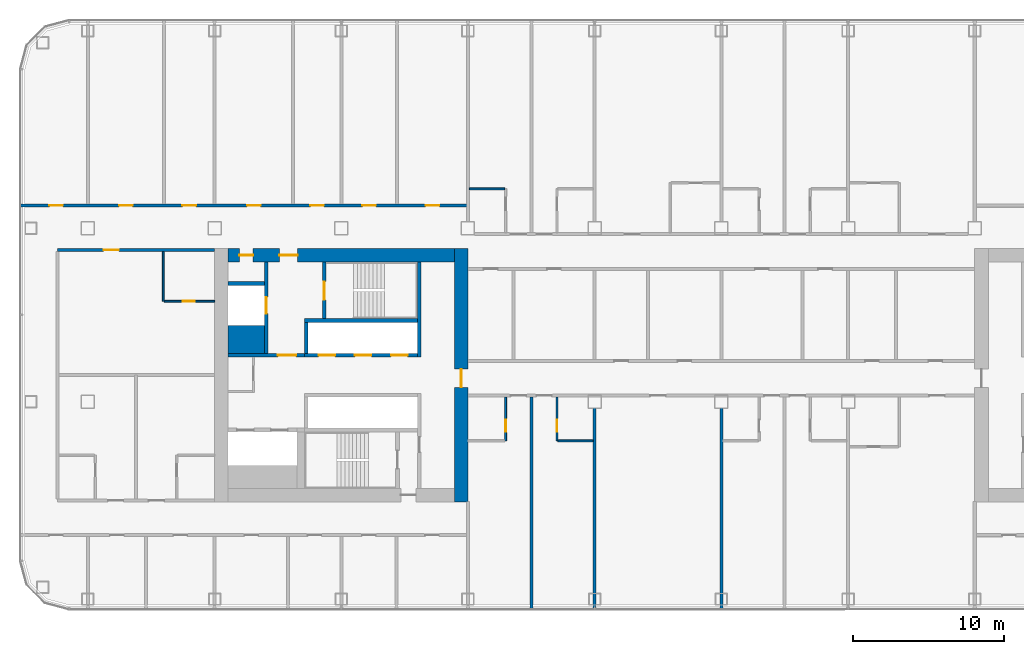
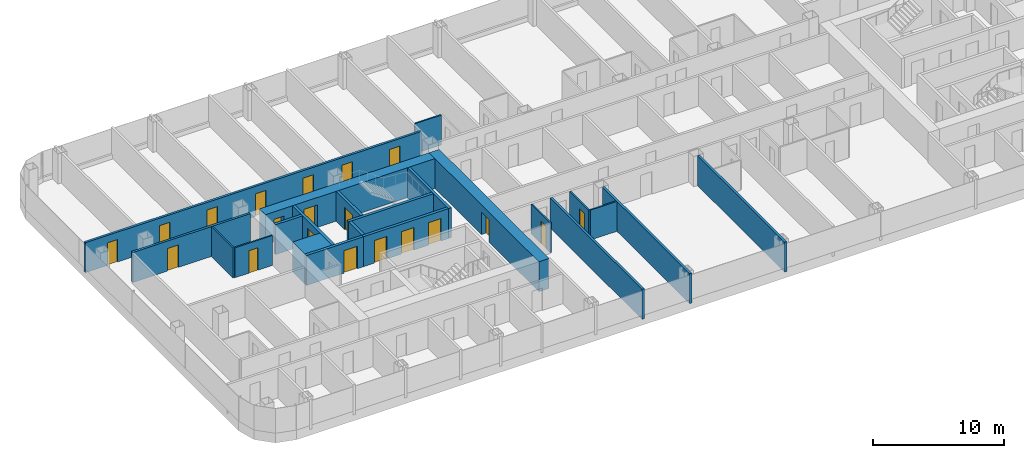
# One storey, part 16 of 29: 22 walls, 20 doors, 20 openings.
"""IFC4 building model written with IfcOpenShell, lengths in metres."""

from ifc_helpers import new_model, si_unit, direction, frame, frame_2d, origin, place, context, subcontext, project, spatial, rectangle, extrude, material, layer, layer_set, type_object, element, fill, save


model = new_model("IFC4")

# Units and contexts
model_context = context("Model", 3, precision=1e-05, world=origin(), true_north=direction((0.0, 1.0)))
body_context = subcontext(model_context, "Body", "Model", "MODEL_VIEW")
ifc_project = project(units=[si_unit("LENGTHUNIT", "METRE"), si_unit("AREAUNIT", "SQUARE_METRE"), si_unit("VOLUMEUNIT", "CUBIC_METRE"), si_unit("PLANEANGLEUNIT", "RADIAN"), si_unit("MASSUNIT", "GRAM", prefix="KILO")], contexts=[model_context])

# Site, building, storey
site_placement = place(None, origin())
site = spatial("IfcSite", under=ifc_project, at=site_placement, CompositionType="ELEMENT")
building_placement = place(site_placement, origin())
building = spatial("IfcBuilding", under=site, at=building_placement, Name="Hakoniwa Tower and Hamabe Station Hall", CompositionType="ELEMENT")
storey_placement = place(building_placement, frame((0.0, 0.0, 85.0)))
storey = spatial("IfcBuildingStorey", under=building, at=storey_placement, Name="L23", CompositionType="ELEMENT", Elevation=85.0)

# Wall
ifc_material_1 = material(Name="Gypsum board partition", Category="gypsum")
ifc_layer_1 = layer(ifc_material_1, 0.125)
ifc_layer_set_1 = layer_set([ifc_layer_1], Name="Bathroom Partition 125")
wall_type_1 = type_object("IfcWallType", Name="Bathroom Partition 125", PredefinedType="PARTITIONING", material=ifc_layer_set_1)
wall_1_placement = place(storey_placement, frame((-10.83740234375, -4.35009765625, 0.0), z_axis=(0.0, 0.0, 1.0), x_axis=(1.0, 0.0, 0.0)))
element("IfcWall", 1, at=wall_1_placement, inside=storey, type_object=wall_type_1, Name="GW-L23-011", PredefinedType="PARTITIONING", context=body_context, shape_type="SweptSolid", body=[
    extrude(rectangle(XDim=2.33740234375, YDim=0.125, at=frame_2d((1.168701171875, 0.0))), origin(), (0.0, 0.0, 1.0), 2.800048828125),
])

# Wall, opening, door
wall_2_placement = place(storey_placement, frame((-36.9375, 4.89990234375, 0.0), z_axis=(0.0, 0.0, 1.0), x_axis=(1.0, 0.0, 0.0)))
wall_2 = element("IfcWall", 2, at=wall_2_placement, inside=storey, type_object=wall_type_1, Name="GW-L23-018", PredefinedType="PARTITIONING", context=body_context, shape_type="SweptSolid", body=[
    extrude(rectangle(XDim=3.33740234375, YDim=0.125, at=frame_2d((1.668701171875, 0.0))), origin(), (0.0, 0.0, 1.0), 2.800048828125),
])
opening_1_placement = place(wall_2_placement, frame((1.237548828125, 0.0, 0.0)))
opening_1 = element("IfcOpeningElement", 3, at=opening_1_placement, cuts=wall_2, Name="Opening GD-G2D0-30", PredefinedType="OPENING", context=body_context, shape_type="SweptSolid", body=[
    extrude(rectangle(XDim=0.800048828125, YDim=2.10009765625, at=frame_2d((0.39990234375, 1.050048828125))), frame((0.0, 0.072509765625, 0.0), z_axis=(0.0, -1.0, 0.0), x_axis=(1.0, 0.0, 0.0)), (0.0, 0.0, 1.0), 0.14501953125),
])
ifc_material_2 = material(Name="Timber door leaf", Category="wood")
door_type_1 = type_object("IfcDoorType", Name="Bathroom Door 800", OperationType="SINGLE_SWING_LEFT", PredefinedType="DOOR", material=ifc_material_2)
door_1_placement = place(opening_1_placement, origin())
door_1 = element("IfcDoor", 4, at=door_1_placement, inside=storey, type_object=door_type_1, Name="Door GD-G2D0-30", OperationType="SINGLE_SWING_RIGHT", OverallHeight=2.10009765625, OverallWidth=0.800048828125, PredefinedType="DOOR", context=body_context, shape_type="SweptSolid", body=[
    extrude(rectangle(XDim=0.800048828125, YDim=2.10009765625, at=frame_2d((0.39990234375, 1.050048828125))), frame((0.0, 0.02490234375, 0.0), z_axis=(0.0, -1.0, 0.0), x_axis=(1.0, 0.0, 0.0)), (0.0, 0.0, 1.0), 0.050048828125),
])
fill(opening_1, door_1)

# Walls
wall_3_placement = place(storey_placement, frame((-16.699951171875, 12.35009765625, 0.0), z_axis=(0.0, 0.0, 1.0), x_axis=(1.0, 0.0, 0.0)))
element("IfcWall", 5, at=wall_3_placement, inside=storey, type_object=wall_type_1, Name="GW-L23-026", PredefinedType="PARTITIONING", context=body_context, shape_type="SweptSolid", body=[
    extrude(rectangle(XDim=2.33740234375, YDim=0.125, at=frame_2d((1.168701171875, 0.0))), origin(), (0.0, 0.0, 1.0), 2.800048828125),
])
wall_4_placement = place(storey_placement, frame((-37.0, 4.89990234375, 0.0), z_axis=(0.0, 0.0, 1.0), x_axis=(0.0, 1.0, 0.0)))
element("IfcWall", 6, at=wall_4_placement, inside=storey, type_object=wall_type_1, Name="GW-L23-038", PredefinedType="PARTITIONING", context=body_context, shape_type="SweptSolid", body=[
    extrude(rectangle(XDim=3.300048828125, YDim=0.125, at=frame_2d((1.64990234375, 0.0))), origin(), (0.0, 0.0, 1.0), 2.800048828125),
])

# Wall, opening, door
wall_5_placement = place(storey_placement, frame((-14.300048828125, -4.35009765625, 0.0), z_axis=(0.0, 0.0, 1.0), x_axis=(0.0, 1.0, 0.0)))
wall_5 = element("IfcWall", 7, at=wall_5_placement, inside=storey, type_object=wall_type_1, Name="GW-L23-051", PredefinedType="PARTITIONING", context=body_context, shape_type="SweptSolid", body=[
    extrude(rectangle(XDim=2.900146484375, YDim=0.125, at=frame_2d((1.4501953125, 0.0))), origin(), (0.0, 0.0, 1.0), 2.800048828125),
])
opening_2_placement = place(wall_5_placement, frame((0.60009765625, 0.0, 0.0)))
opening_2 = element("IfcOpeningElement", 8, at=opening_2_placement, cuts=wall_5, Name="Opening GD-G2D0-59", PredefinedType="OPENING", context=body_context, shape_type="SweptSolid", body=[
    extrude(rectangle(XDim=0.800048828125, YDim=2.10009765625, at=frame_2d((0.39990234375, 1.050048828125))), frame((0.0, 0.072509765625, 0.0), z_axis=(0.0, -1.0, 0.0), x_axis=(1.0, 0.0, 0.0)), (0.0, 0.0, 1.0), 0.14501953125),
])
door_2_placement = place(opening_2_placement, origin())
door_2 = element("IfcDoor", 9, at=door_2_placement, inside=storey, type_object=door_type_1, Name="Door GD-G2D0-59", OperationType="SINGLE_SWING_RIGHT", OverallHeight=2.10009765625, OverallWidth=0.800048828125, PredefinedType="DOOR", context=body_context, shape_type="SweptSolid", body=[
    extrude(rectangle(XDim=0.800048828125, YDim=2.10009765625, at=frame_2d((0.39990234375, 1.050048828125))), frame((0.0, 0.02490234375, 0.0), z_axis=(0.0, -1.0, 0.0), x_axis=(1.0, 0.0, 0.0)), (0.0, 0.0, 1.0), 0.050048828125),
])
fill(opening_2, door_2)

wall_6_placement = place(storey_placement, frame((-10.89990234375, -4.35009765625, 0.0), z_axis=(0.0, 0.0, 1.0), x_axis=(0.0, 1.0, 0.0)))
wall_6 = element("IfcWall", 10, at=wall_6_placement, inside=storey, type_object=wall_type_1, Name="GW-L23-056", PredefinedType="PARTITIONING", context=body_context, shape_type="SweptSolid", body=[
    extrude(rectangle(XDim=2.900146484375, YDim=0.125, at=frame_2d((1.4501953125, 0.0))), origin(), (0.0, 0.0, 1.0), 2.800048828125),
])
opening_3_placement = place(wall_6_placement, frame((0.60009765625, 0.0, 0.0)))
opening_3 = element("IfcOpeningElement", 11, at=opening_3_placement, cuts=wall_6, Name="Opening GD-G2D0-61", PredefinedType="OPENING", context=body_context, shape_type="SweptSolid", body=[
    extrude(rectangle(XDim=0.800048828125, YDim=2.10009765625, at=frame_2d((0.39990234375, 1.050048828125))), frame((0.0, 0.072509765625, 0.0), z_axis=(0.0, -1.0, 0.0), x_axis=(1.0, 0.0, 0.0)), (0.0, 0.0, 1.0), 0.14501953125),
])
door_3_placement = place(opening_3_placement, origin())
door_3 = element("IfcDoor", 12, at=door_3_placement, inside=storey, type_object=door_type_1, Name="Door GD-G2D0-61", OperationType="SINGLE_SWING_LEFT", OverallHeight=2.10009765625, OverallWidth=0.800048828125, PredefinedType="DOOR", context=body_context, shape_type="SweptSolid", body=[
    extrude(rectangle(XDim=0.800048828125, YDim=2.10009765625, at=frame_2d((0.39990234375, 1.050048828125))), frame((0.0, 0.02490234375, 0.0), z_axis=(0.0, -1.0, 0.0), x_axis=(1.0, 0.0, 0.0)), (0.0, 0.0, 1.0), 0.050048828125),
])
fill(opening_3, door_3)

ifc_material_3 = material(Name="Concrete C72", Category="concrete")
ifc_layer_2 = layer(ifc_material_3, 0.89990234375)
ifc_layer_set_2 = layer_set([ifc_layer_2], Name="CORE WALL 900 C72")
wall_type_2 = type_object("IfcWallType", Name="CORE WALL 900 C72", PredefinedType="SHEAR", material=ifc_layer_set_2)
wall_7_placement = place(storey_placement, frame((-17.25, -8.39990234375, 0.0), z_axis=(0.0, 0.0, 1.0), x_axis=(0.0, 1.0, 0.0)))
wall_7 = element("IfcWall", 13, at=wall_7_placement, inside=storey, type_object=wall_type_2, Name="Core wall INNER west", PredefinedType="SHEAR", context=body_context, shape_type="SweptSolid", body=[
    extrude(rectangle(XDim=16.7998046875, YDim=0.89990234375, at=frame_2d((8.39990234375, 0.0))), origin(), (0.0, 0.0, 1.0), 2.800048828125),
])
opening_4_placement = place(wall_7_placement, frame((7.60009765625, 0.0, 0.0)))
opening_4 = element("IfcOpeningElement", 14, at=opening_4_placement, cuts=wall_7, Name="Opening CD-W-IN1-12", PredefinedType="OPENING", context=body_context, shape_type="SweptSolid", body=[
    extrude(rectangle(XDim=1.199951171875, YDim=2.10009765625, at=frame_2d((0.60009765625, 1.050048828125))), frame((0.0, 0.4599609375, 0.0), z_axis=(0.0, -1.0, 0.0), x_axis=(1.0, 0.0, 0.0)), (0.0, 0.0, 1.0), 0.919921875),
])
ifc_material_4 = material(Name="Steel fire door", Category="steel")
door_type_2 = type_object("IfcDoorType", Name="CORE DOOR 1200 FD60", OperationType="DOUBLE_DOOR_SINGLE_SWING", PredefinedType="DOOR", material=ifc_material_4)
door_4_placement = place(opening_4_placement, origin())
door_4 = element("IfcDoor", 15, at=door_4_placement, inside=storey, type_object=door_type_2, Name="Lift lobby door", OperationType="DOUBLE_DOOR_SINGLE_SWING", OverallHeight=2.10009765625, OverallWidth=1.199951171875, PredefinedType="DOOR", context=body_context, shape_type="SweptSolid", body=[
    extrude(rectangle(XDim=1.199951171875, YDim=2.10009765625, at=frame_2d((0.60009765625, 1.050048828125))), frame((0.0, 0.02490234375, 0.0), z_axis=(0.0, -1.0, 0.0), x_axis=(1.0, 0.0, 0.0)), (0.0, 0.0, 1.0), 0.050048828125),
])
fill(opening_4, door_4)

# Wall, openings, doors
wall_8_placement = place(storey_placement, frame((-32.699951171875, 7.949951171875, 0.0), z_axis=(0.0, 0.0, 1.0), x_axis=(1.0, 0.0, 0.0)))
wall_8 = element("IfcWall", 16, at=wall_8_placement, inside=storey, type_object=wall_type_2, Name="Core wall NORTH west", PredefinedType="SHEAR", context=body_context, shape_type="SweptSolid", body=[
    extrude(rectangle(XDim=15.0, YDim=0.89990234375, at=frame_2d((7.5, 0.0))), origin(), (0.0, 0.0, 1.0), 2.800048828125),
])
opening_5_placement = place(wall_8_placement, frame((3.39990234375, 0.0, 0.0)))
opening_5 = element("IfcOpeningElement", 17, at=opening_5_placement, cuts=wall_8, Name="Opening CD-W-FN1-12", PredefinedType="OPENING", context=body_context, shape_type="SweptSolid", body=[
    extrude(rectangle(XDim=1.199951171875, YDim=2.10009765625, at=frame_2d((0.60009765625, 1.050048828125))), frame((0.0, 0.4599609375, 0.0), z_axis=(0.0, -1.0, 0.0), x_axis=(1.0, 0.0, 0.0)), (0.0, 0.0, 1.0), 0.919921875),
])
opening_6_placement = place(wall_8_placement, frame((0.75, 0.0, 0.0)))
opening_6 = element("IfcOpeningElement", 18, at=opening_6_placement, cuts=wall_8, Name="Opening CD-W-FN2-9", PredefinedType="OPENING", context=body_context, shape_type="SweptSolid", body=[
    extrude(rectangle(XDim=0.89990234375, YDim=2.10009765625, at=frame_2d((0.449951171875, 1.050048828125))), frame((0.0, 0.4599609375, 0.0), z_axis=(0.0, -1.0, 0.0), x_axis=(1.0, 0.0, 0.0)), (0.0, 0.0, 1.0), 0.919921875),
])
door_5_placement = place(opening_5_placement, origin())
door_5 = element("IfcDoor", 19, at=door_5_placement, inside=storey, type_object=door_type_2, Name="Stair vestibule door to the fire-fighting lobby", OperationType="DOUBLE_DOOR_SINGLE_SWING", OverallHeight=2.10009765625, OverallWidth=1.199951171875, PredefinedType="DOOR", context=body_context, shape_type="SweptSolid", body=[
    extrude(rectangle(XDim=1.199951171875, YDim=2.10009765625, at=frame_2d((0.60009765625, 1.050048828125))), frame((0.0, 0.02490234375, 0.0), z_axis=(0.0, -1.0, 0.0), x_axis=(1.0, 0.0, 0.0)), (0.0, 0.0, 1.0), 0.050048828125),
])
fill(opening_5, door_5)
ifc_material_5 = material(Name="Steel fire door", Category="steel")
door_type_3 = type_object("IfcDoorType", Name="CORE DOOR 900 FD30", OperationType="NOTDEFINED", PredefinedType="DOOR", material=ifc_material_5)
door_6_placement = place(opening_6_placement, origin())
door_6 = element("IfcDoor", 20, at=door_6_placement, inside=storey, type_object=door_type_3, Name="Riser access door", OperationType="SINGLE_SWING_RIGHT", OverallHeight=2.10009765625, OverallWidth=0.89990234375, PredefinedType="DOOR", context=body_context, shape_type="SweptSolid", body=[
    extrude(rectangle(XDim=0.89990234375, YDim=2.10009765625, at=frame_2d((0.449951171875, 1.050048828125))), frame((0.0, 0.02490234375, 0.0), z_axis=(0.0, -1.0, 0.0), x_axis=(1.0, 0.0, 0.0)), (0.0, 0.0, 1.0), 0.050048828125),
])
fill(opening_6, door_6)

# Walls
ifc_material_6 = material(Name="Concrete C72", Category="concrete")
ifc_layer_3 = layer(ifc_material_6, 1.85009765625)
ifc_layer_set_3 = layer_set([ifc_layer_3], Name="CORE WEB WALL 1850 C72")
wall_type_3 = type_object("IfcWallType", Name="CORE WEB WALL 1850 C72", PredefinedType="SHEAR", material=ifc_layer_set_3)
wall_9_placement = place(storey_placement, frame((-32.699951171875, 2.375, 0.0), z_axis=(0.0, 0.0, 1.0), x_axis=(1.0, 0.0, 0.0)))
element("IfcWall", 21, at=wall_9_placement, inside=storey, type_object=wall_type_3, Name="Core wall CA west", PredefinedType="SHEAR", context=body_context, shape_type="SweptSolid", body=[
    extrude(rectangle(XDim=2.39990234375, YDim=1.85009765625, at=frame_2d((1.199951171875, 0.0))), origin(), (0.0, 0.0, 1.0), 2.800048828125),
])
ifc_material_7 = material(Name="Concrete C72", Category="concrete")
ifc_layer_4 = layer(ifc_material_7, 0.25)
ifc_layer_set_4 = layer_set([ifc_layer_4], Name="CORE WEB WALL 250 C72")
wall_type_4 = type_object("IfcWallType", Name="CORE WEB WALL 250 C72", PredefinedType="SHEAR", material=ifc_layer_set_4)
wall_10_placement = place(storey_placement, frame((-20.02490234375, 1.199951171875, 0.0), z_axis=(0.0, 0.0, 1.0), x_axis=(0.0, 1.0, 0.0)))
element("IfcWall", 22, at=wall_10_placement, inside=storey, type_object=wall_type_4, Name="Core wall W1N west", PredefinedType="SHEAR", context=body_context, shape_type="SweptSolid", body=[
    extrude(rectangle(XDim=6.300048828125, YDim=0.25, at=frame_2d((3.14990234375, 0.0))), origin(), (0.0, 0.0, 1.0), 2.800048828125),
])

# Wall, openings, doors
wall_11_placement = place(storey_placement, frame((-27.64990234375, 1.324951171875, 0.0), z_axis=(0.0, 0.0, 1.0), x_axis=(1.0, 0.0, 0.0)))
wall_11 = element("IfcWall", 23, at=wall_11_placement, inside=storey, type_object=wall_type_4, Name="Core wall NF west", PredefinedType="SHEAR", context=body_context, shape_type="SweptSolid", body=[
    extrude(rectangle(XDim=7.5, YDim=0.25, at=frame_2d((3.75, 0.0))), origin(), (0.0, 0.0, 1.0), 2.800048828125),
])
opening_7_placement = place(wall_11_placement, frame((5.75, 0.0, 0.0)))
opening_7 = element("IfcOpeningElement", 24, at=opening_7_placement, cuts=wall_11, Name="Opening LD-LR1", PredefinedType="OPENING", context=body_context, shape_type="SweptSolid", body=[
    extrude(rectangle(XDim=1.10009765625, YDim=2.10009765625, at=frame_2d((0.550048828125, 1.050048828125))), frame((0.0, 0.135009765625, 0.0), z_axis=(0.0, -1.0, 0.0), x_axis=(1.0, 0.0, 0.0)), (0.0, 0.0, 1.0), 0.27001953125),
])
opening_8_placement = place(wall_11_placement, frame((3.35009765625, 0.0, 0.0)))
opening_8 = element("IfcOpeningElement", 25, at=opening_8_placement, cuts=wall_11, Name="Opening LD-LR2", PredefinedType="OPENING", context=body_context, shape_type="SweptSolid", body=[
    extrude(rectangle(XDim=1.10009765625, YDim=2.10009765625, at=frame_2d((0.550048828125, 1.050048828125))), frame((0.0, 0.135009765625, 0.0), z_axis=(0.0, -1.0, 0.0), x_axis=(1.0, 0.0, 0.0)), (0.0, 0.0, 1.0), 0.27001953125),
])
opening_9_placement = place(wall_11_placement, frame((0.949951171875, 0.0, 0.0)))
opening_9 = element("IfcOpeningElement", 26, at=opening_9_placement, cuts=wall_11, Name="Opening LD-LR3", PredefinedType="OPENING", context=body_context, shape_type="SweptSolid", body=[
    extrude(rectangle(XDim=1.10009765625, YDim=2.10009765625, at=frame_2d((0.550048828125, 1.050048828125))), frame((0.0, 0.135009765625, 0.0), z_axis=(0.0, -1.0, 0.0), x_axis=(1.0, 0.0, 0.0)), (0.0, 0.0, 1.0), 0.27001953125),
])
ifc_material_8 = material(Name="Stainless steel SUS304", Category="steel")
door_type_4 = type_object("IfcDoorType", Name="LIFT LANDING DOOR 1100 FD60", OperationType="DOUBLE_DOOR_SLIDING", PredefinedType="DOOR", material=ifc_material_8)
door_7_placement = place(opening_7_placement, origin())
door_7 = element("IfcDoor", 27, at=door_7_placement, inside=storey, type_object=door_type_4, Name="Lift landing door LR1 L23", OperationType="DOUBLE_DOOR_SLIDING", OverallHeight=2.10009765625, OverallWidth=1.10009765625, PredefinedType="DOOR", context=body_context, shape_type="SweptSolid", body=[
    extrude(rectangle(XDim=1.10009765625, YDim=2.10009765625, at=frame_2d((0.550048828125, 1.050048828125))), frame((0.0, 0.02490234375, 0.0), z_axis=(0.0, -1.0, 0.0), x_axis=(1.0, 0.0, 0.0)), (0.0, 0.0, 1.0), 0.050048828125),
])
fill(opening_7, door_7)
door_8_placement = place(opening_8_placement, origin())
door_8 = element("IfcDoor", 28, at=door_8_placement, inside=storey, type_object=door_type_4, Name="Lift landing door LR2 L23", OperationType="DOUBLE_DOOR_SLIDING", OverallHeight=2.10009765625, OverallWidth=1.10009765625, PredefinedType="DOOR", context=body_context, shape_type="SweptSolid", body=[
    extrude(rectangle(XDim=1.10009765625, YDim=2.10009765625, at=frame_2d((0.550048828125, 1.050048828125))), frame((0.0, 0.02490234375, 0.0), z_axis=(0.0, -1.0, 0.0), x_axis=(1.0, 0.0, 0.0)), (0.0, 0.0, 1.0), 0.050048828125),
])
fill(opening_8, door_8)
door_9_placement = place(opening_9_placement, origin())
door_9 = element("IfcDoor", 29, at=door_9_placement, inside=storey, type_object=door_type_4, Name="Lift landing door LR3 L23", OperationType="DOUBLE_DOOR_SLIDING", OverallHeight=2.10009765625, OverallWidth=1.10009765625, PredefinedType="DOOR", context=body_context, shape_type="SweptSolid", body=[
    extrude(rectangle(XDim=1.10009765625, YDim=2.10009765625, at=frame_2d((0.550048828125, 1.050048828125))), frame((0.0, 0.02490234375, 0.0), z_axis=(0.0, -1.0, 0.0), x_axis=(1.0, 0.0, 0.0)), (0.0, 0.0, 1.0), 0.050048828125),
])
fill(opening_9, door_9)

# Walls
wall_12_placement = place(storey_placement, frame((-27.52490234375, 1.449951171875, 0.0), z_axis=(0.0, 0.0, 1.0), x_axis=(0.0, 1.0, 0.0)))
element("IfcWall", 30, at=wall_12_placement, inside=storey, type_object=wall_type_4, Name="Core wall NE west", PredefinedType="SHEAR", context=body_context, shape_type="SweptSolid", body=[
    extrude(rectangle(XDim=2.050048828125, YDim=0.25, at=frame_2d((1.02490234375, 0.0))), origin(), (0.0, 0.0, 1.0), 2.800048828125),
])
wall_13_placement = place(storey_placement, frame((-27.64990234375, 3.625, 0.0), z_axis=(0.0, 0.0, 1.0), x_axis=(1.0, 0.0, 0.0)))
element("IfcWall", 31, at=wall_13_placement, inside=storey, type_object=wall_type_4, Name="Core wall NR west", PredefinedType="SHEAR", context=body_context, shape_type="SweptSolid", body=[
    extrude(rectangle(XDim=7.5, YDim=0.25, at=frame_2d((3.75, 0.0))), origin(), (0.0, 0.0, 1.0), 2.800048828125),
])

# Wall, opening, door
wall_14_placement = place(storey_placement, frame((-26.324951171875, 3.75, 0.0), z_axis=(0.0, 0.0, 1.0), x_axis=(0.0, 1.0, 0.0)))
wall_14 = element("IfcWall", 32, at=wall_14_placement, inside=storey, type_object=wall_type_4, Name="Core wall NSE west", PredefinedType="SHEAR", context=body_context, shape_type="SweptSolid", body=[
    extrude(rectangle(XDim=3.75, YDim=0.25, at=frame_2d((1.875, 0.0))), origin(), (0.0, 0.0, 1.0), 2.800048828125),
])
opening_10_placement = place(wall_14_placement, frame((1.25, 0.0, 0.0)))
opening_10 = element("IfcOpeningElement", 33, at=opening_10_placement, cuts=wall_14, Name="Opening CD-W-SN-12", PredefinedType="OPENING", context=body_context, shape_type="SweptSolid", body=[
    extrude(rectangle(XDim=1.199951171875, YDim=2.10009765625, at=frame_2d((0.60009765625, 1.050048828125))), frame((0.0, 0.135009765625, 0.0), z_axis=(0.0, -1.0, 0.0), x_axis=(1.0, 0.0, 0.0)), (0.0, 0.0, 1.0), 0.27001953125),
])
door_10_placement = place(opening_10_placement, origin())
door_10 = element("IfcDoor", 34, at=door_10_placement, inside=storey, type_object=door_type_2, Name="Escape stair door", OperationType="DOUBLE_DOOR_SINGLE_SWING", OverallHeight=2.10009765625, OverallWidth=1.199951171875, PredefinedType="DOOR", context=body_context, shape_type="SweptSolid", body=[
    extrude(rectangle(XDim=1.199951171875, YDim=2.10009765625, at=frame_2d((0.60009765625, 1.050048828125))), frame((0.0, 0.02490234375, 0.0), z_axis=(0.0, -1.0, 0.0), x_axis=(1.0, 0.0, 0.0)), (0.0, 0.0, 1.0), 0.050048828125),
])
fill(opening_10, door_10)

wall_15_placement = place(storey_placement, frame((-32.699951171875, 1.324951171875, 0.0), z_axis=(0.0, 0.0, 1.0), x_axis=(1.0, 0.0, 0.0)))
wall_15 = element("IfcWall", 35, at=wall_15_placement, inside=storey, type_object=wall_type_4, Name="Core wall ELN west", PredefinedType="SHEAR", context=body_context, shape_type="SweptSolid", body=[
    extrude(rectangle(XDim=5.050048828125, YDim=0.25, at=frame_2d((2.52490234375, 0.0))), origin(), (0.0, 0.0, 1.0), 2.800048828125),
])
opening_11_placement = place(wall_15_placement, frame((3.300048828125, 0.0, 0.0)))
opening_11 = element("IfcOpeningElement", 36, at=opening_11_placement, cuts=wall_15, Name="Opening CD-W-FL-12", PredefinedType="OPENING", context=body_context, shape_type="SweptSolid", body=[
    extrude(rectangle(XDim=1.199951171875, YDim=2.10009765625, at=frame_2d((0.60009765625, 1.050048828125))), frame((0.0, 0.135009765625, 0.0), z_axis=(0.0, -1.0, 0.0), x_axis=(1.0, 0.0, 0.0)), (0.0, 0.0, 1.0), 0.27001953125),
])
door_11_placement = place(opening_11_placement, origin())
door_11 = element("IfcDoor", 37, at=door_11_placement, inside=storey, type_object=door_type_2, Name="Stair vestibule door to the fire-fighting lobby", OperationType="DOUBLE_DOOR_SINGLE_SWING", OverallHeight=2.10009765625, OverallWidth=1.199951171875, PredefinedType="DOOR", context=body_context, shape_type="SweptSolid", body=[
    extrude(rectangle(XDim=1.199951171875, YDim=2.10009765625, at=frame_2d((0.60009765625, 1.050048828125))), frame((0.0, 0.02490234375, 0.0), z_axis=(0.0, -1.0, 0.0), x_axis=(1.0, 0.0, 0.0)), (0.0, 0.0, 1.0), 0.050048828125),
])
fill(opening_11, door_11)

wall_16_placement = place(storey_placement, frame((-30.175048828125, 1.449951171875, 0.0), z_axis=(0.0, 0.0, 1.0), x_axis=(0.0, 1.0, 0.0)))
wall_16 = element("IfcWall", 38, at=wall_16_placement, inside=storey, type_object=wall_type_4, Name="Core wall FFF west", PredefinedType="SHEAR", context=body_context, shape_type="SweptSolid", body=[
    extrude(rectangle(XDim=6.050048828125, YDim=0.25, at=frame_2d((3.02490234375, 0.0))), origin(), (0.0, 0.0, 1.0), 2.800048828125),
])
opening_12_placement = place(wall_16_placement, frame((2.625, 0.0, 0.0)))
opening_12 = element("IfcOpeningElement", 39, at=opening_12_placement, cuts=wall_16, Name="Opening LD-FF1", PredefinedType="OPENING", context=body_context, shape_type="SweptSolid", body=[
    extrude(rectangle(XDim=1.10009765625, YDim=2.10009765625, at=frame_2d((0.550048828125, 1.050048828125))), frame((0.0, 0.135009765625, 0.0), z_axis=(0.0, -1.0, 0.0), x_axis=(1.0, 0.0, 0.0)), (0.0, 0.0, 1.0), 0.27001953125),
])
door_12_placement = place(opening_12_placement, origin())
door_12 = element("IfcDoor", 40, at=door_12_placement, inside=storey, type_object=door_type_4, Name="Lift landing door FF1 L23", OperationType="DOUBLE_DOOR_SLIDING", OverallHeight=2.10009765625, OverallWidth=1.10009765625, PredefinedType="DOOR", context=body_context, shape_type="SweptSolid", body=[
    extrude(rectangle(XDim=1.10009765625, YDim=2.10009765625, at=frame_2d((0.550048828125, 1.050048828125))), frame((0.0, 0.02490234375, 0.0), z_axis=(0.0, -1.0, 0.0), x_axis=(1.0, 0.0, 0.0)), (0.0, 0.0, 1.0), 0.050048828125),
])
fill(opening_12, door_12)

# Wall
wall_17_placement = place(storey_placement, frame((-32.699951171875, 6.074951171875, 0.0), z_axis=(0.0, 0.0, 1.0), x_axis=(1.0, 0.0, 0.0)))
element("IfcWall", 41, at=wall_17_placement, inside=storey, type_object=wall_type_4, Name="Core wall C2 west", PredefinedType="SHEAR", context=body_context, shape_type="SweptSolid", body=[
    extrude(rectangle(XDim=2.39990234375, YDim=0.25, at=frame_2d((1.199951171875, 0.0))), origin(), (0.0, 0.0, 1.0), 2.800048828125),
])

# Wall, opening, door
ifc_material_9 = material(Name="Fire-rated gypsum board partition", Category="gypsum")
ifc_layer_5 = layer(ifc_material_9, 0.199951171875)
ifc_layer_set_5 = layer_set([ifc_layer_5], Name="Corridor Wall 200")
wall_type_5 = type_object("IfcWallType", Name="Corridor Wall 200", PredefinedType="PARTITIONING", material=ifc_layer_set_5)
wall_18_placement = place(storey_placement, frame((-44.0, 8.300048828125, 0.0), z_axis=(0.0, 0.0, 1.0), x_axis=(1.0, 0.0, 0.0)))
wall_18 = element("IfcWall", 42, at=wall_18_placement, inside=storey, type_object=wall_type_5, Name="GW-L23-021", PredefinedType="PARTITIONING", context=body_context, shape_type="SweptSolid", body=[
    extrude(rectangle(XDim=10.39990234375, YDim=0.199951171875, at=frame_2d((5.199951171875, 0.0))), origin(), (0.0, 0.0, 1.0), 2.800048828125),
])
opening_13_placement = place(wall_18_placement, frame((3.050048828125, 0.0, 0.0)))
opening_13 = element("IfcOpeningElement", 43, at=opening_13_placement, cuts=wall_18, Name="Opening GD-G2D0-36", PredefinedType="OPENING", context=body_context, shape_type="SweptSolid", body=[
    extrude(rectangle(XDim=1.0, YDim=2.10009765625, at=frame_2d((0.5, 1.050048828125))), frame((0.0, 0.10986328125, 0.0), z_axis=(0.0, -1.0, 0.0), x_axis=(1.0, 0.0, 0.0)), (0.0, 0.0, 1.0), 0.219970703125),
])
ifc_material_10 = material(Name="Timber door leaf", Category="wood")
door_type_5 = type_object("IfcDoorType", Name="Guest Entrance Door 1000", OperationType="SINGLE_SWING_LEFT", PredefinedType="DOOR", material=ifc_material_10)
door_13_placement = place(opening_13_placement, origin())
door_13 = element("IfcDoor", 44, at=door_13_placement, inside=storey, type_object=door_type_5, Name="Door GD-G2D0-36", OperationType="SINGLE_SWING_LEFT", OverallHeight=2.10009765625, OverallWidth=1.0, PredefinedType="DOOR", context=body_context, shape_type="SweptSolid", body=[
    extrude(rectangle(XDim=1.0, YDim=2.10009765625, at=frame_2d((0.5, 1.050048828125))), frame((0.0, 0.02490234375, 0.0), z_axis=(0.0, -1.0, 0.0), x_axis=(1.0, 0.0, 0.0)), (0.0, 0.0, 1.0), 0.050048828125),
])
fill(opening_13, door_13)

# Wall, openings, doors
wall_19_placement = place(storey_placement, frame((-46.5, 11.25, 0.0), z_axis=(0.0, 0.0, 1.0), x_axis=(1.0, 0.0, 0.0)))
wall_19 = element("IfcWall", 45, at=wall_19_placement, inside=storey, type_object=wall_type_5, Name="GW-L23-024", PredefinedType="PARTITIONING", context=body_context, shape_type="SweptSolid", body=[
    extrude(rectangle(XDim=29.699951171875, YDim=0.199951171875, at=frame_2d((14.85009765625, 0.0))), origin(), (0.0, 0.0, 1.0), 2.800048828125),
])
opening_14_placement = place(wall_19_placement, frame((1.949951171875, 0.0, 0.0)))
opening_14 = element("IfcOpeningElement", 46, at=opening_14_placement, cuts=wall_19, Name="Opening GD-G2D0-44", PredefinedType="OPENING", context=body_context, shape_type="SweptSolid", body=[
    extrude(rectangle(XDim=0.89990234375, YDim=2.10009765625, at=frame_2d((0.449951171875, 1.050048828125))), frame((0.0, 0.10986328125, 0.0), z_axis=(0.0, -1.0, 0.0), x_axis=(1.0, 0.0, 0.0)), (0.0, 0.0, 1.0), 0.219970703125),
])
opening_15_placement = place(wall_19_placement, frame((6.570068359375, 0.0, 0.0)))
opening_15 = element("IfcOpeningElement", 47, at=opening_15_placement, cuts=wall_19, Name="Opening GD-G2D0-45", PredefinedType="OPENING", context=body_context, shape_type="SweptSolid", body=[
    extrude(rectangle(XDim=0.89990234375, YDim=2.10009765625, at=frame_2d((0.449951171875, 1.050048828125))), frame((0.0, 0.10986328125, 0.0), z_axis=(0.0, -1.0, 0.0), x_axis=(1.0, 0.0, 0.0)), (0.0, 0.0, 1.0), 0.219970703125),
])
opening_16_placement = place(wall_19_placement, frame((10.77001953125, 0.0, 0.0)))
opening_16 = element("IfcOpeningElement", 48, at=opening_16_placement, cuts=wall_19, Name="Opening GD-G2D0-46", PredefinedType="OPENING", context=body_context, shape_type="SweptSolid", body=[
    extrude(rectangle(XDim=0.89990234375, YDim=2.10009765625, at=frame_2d((0.449951171875, 1.050048828125))), frame((0.0, 0.10986328125, 0.0), z_axis=(0.0, -1.0, 0.0), x_axis=(1.0, 0.0, 0.0)), (0.0, 0.0, 1.0), 0.219970703125),
])
opening_17_placement = place(wall_19_placement, frame((15.054931640625, 0.0, 0.0)))
opening_17 = element("IfcOpeningElement", 49, at=opening_17_placement, cuts=wall_19, Name="Opening GD-G2D0-47", PredefinedType="OPENING", context=body_context, shape_type="SweptSolid", body=[
    extrude(rectangle(XDim=0.89990234375, YDim=2.10009765625, at=frame_2d((0.449951171875, 1.050048828125))), frame((0.0, 0.10986328125, 0.0), z_axis=(0.0, -1.0, 0.0), x_axis=(1.0, 0.0, 0.0)), (0.0, 0.0, 1.0), 0.219970703125),
])
opening_18_placement = place(wall_19_placement, frame((19.2548828125, 0.0, 0.0)))
opening_18 = element("IfcOpeningElement", 50, at=opening_18_placement, cuts=wall_19, Name="Opening GD-G2D0-48", PredefinedType="OPENING", context=body_context, shape_type="SweptSolid", body=[
    extrude(rectangle(XDim=0.89990234375, YDim=2.10009765625, at=frame_2d((0.449951171875, 1.050048828125))), frame((0.0, 0.10986328125, 0.0), z_axis=(0.0, -1.0, 0.0), x_axis=(1.0, 0.0, 0.0)), (0.0, 0.0, 1.0), 0.219970703125),
])
opening_19_placement = place(wall_19_placement, frame((22.699951171875, 0.0, 0.0)))
opening_19 = element("IfcOpeningElement", 51, at=opening_19_placement, cuts=wall_19, Name="Opening GD-G2D0-49", PredefinedType="OPENING", context=body_context, shape_type="SweptSolid", body=[
    extrude(rectangle(XDim=0.89990234375, YDim=2.10009765625, at=frame_2d((0.449951171875, 1.050048828125))), frame((0.0, 0.10986328125, 0.0), z_axis=(0.0, -1.0, 0.0), x_axis=(1.0, 0.0, 0.0)), (0.0, 0.0, 1.0), 0.219970703125),
])
opening_20_placement = place(wall_19_placement, frame((26.89990234375, 0.0, 0.0)))
opening_20 = element("IfcOpeningElement", 52, at=opening_20_placement, cuts=wall_19, Name="Opening GD-G2D0-50", PredefinedType="OPENING", context=body_context, shape_type="SweptSolid", body=[
    extrude(rectangle(XDim=0.89990234375, YDim=2.10009765625, at=frame_2d((0.449951171875, 1.050048828125))), frame((0.0, 0.10986328125, 0.0), z_axis=(0.0, -1.0, 0.0), x_axis=(1.0, 0.0, 0.0)), (0.0, 0.0, 1.0), 0.219970703125),
])
ifc_material_11 = material(Name="Timber door leaf", Category="wood")
door_type_6 = type_object("IfcDoorType", Name="Service Door 900", OperationType="SINGLE_SWING_LEFT", PredefinedType="DOOR", material=ifc_material_11)
door_14_placement = place(opening_14_placement, origin())
door_14 = element("IfcDoor", 53, at=door_14_placement, inside=storey, type_object=door_type_6, Name="Door GD-G2D0-44", OperationType="SINGLE_SWING_LEFT", OverallHeight=2.10009765625, OverallWidth=0.89990234375, PredefinedType="DOOR", context=body_context, shape_type="SweptSolid", body=[
    extrude(rectangle(XDim=0.89990234375, YDim=2.10009765625, at=frame_2d((0.449951171875, 1.050048828125))), frame((0.0, 0.02490234375, 0.0), z_axis=(0.0, -1.0, 0.0), x_axis=(1.0, 0.0, 0.0)), (0.0, 0.0, 1.0), 0.050048828125),
])
fill(opening_14, door_14)
door_15_placement = place(opening_15_placement, origin())
door_15 = element("IfcDoor", 54, at=door_15_placement, inside=storey, type_object=door_type_6, Name="Door GD-G2D0-45", OperationType="SINGLE_SWING_RIGHT", OverallHeight=2.10009765625, OverallWidth=0.89990234375, PredefinedType="DOOR", context=body_context, shape_type="SweptSolid", body=[
    extrude(rectangle(XDim=0.89990234375, YDim=2.10009765625, at=frame_2d((0.449951171875, 1.050048828125))), frame((0.0, 0.02490234375, 0.0), z_axis=(0.0, -1.0, 0.0), x_axis=(1.0, 0.0, 0.0)), (0.0, 0.0, 1.0), 0.050048828125),
])
fill(opening_15, door_15)
door_16_placement = place(opening_16_placement, origin())
door_16 = element("IfcDoor", 55, at=door_16_placement, inside=storey, type_object=door_type_6, Name="Door GD-G2D0-46", OperationType="SINGLE_SWING_LEFT", OverallHeight=2.10009765625, OverallWidth=0.89990234375, PredefinedType="DOOR", context=body_context, shape_type="SweptSolid", body=[
    extrude(rectangle(XDim=0.89990234375, YDim=2.10009765625, at=frame_2d((0.449951171875, 1.050048828125))), frame((0.0, 0.02490234375, 0.0), z_axis=(0.0, -1.0, 0.0), x_axis=(1.0, 0.0, 0.0)), (0.0, 0.0, 1.0), 0.050048828125),
])
fill(opening_16, door_16)
door_17_placement = place(opening_17_placement, origin())
door_17 = element("IfcDoor", 56, at=door_17_placement, inside=storey, type_object=door_type_6, Name="Door GD-G2D0-47", OperationType="SINGLE_SWING_RIGHT", OverallHeight=2.10009765625, OverallWidth=0.89990234375, PredefinedType="DOOR", context=body_context, shape_type="SweptSolid", body=[
    extrude(rectangle(XDim=0.89990234375, YDim=2.10009765625, at=frame_2d((0.449951171875, 1.050048828125))), frame((0.0, 0.02490234375, 0.0), z_axis=(0.0, -1.0, 0.0), x_axis=(1.0, 0.0, 0.0)), (0.0, 0.0, 1.0), 0.050048828125),
])
fill(opening_17, door_17)
door_18_placement = place(opening_18_placement, origin())
door_18 = element("IfcDoor", 57, at=door_18_placement, inside=storey, type_object=door_type_6, Name="Door GD-G2D0-48", OperationType="SINGLE_SWING_LEFT", OverallHeight=2.10009765625, OverallWidth=0.89990234375, PredefinedType="DOOR", context=body_context, shape_type="SweptSolid", body=[
    extrude(rectangle(XDim=0.89990234375, YDim=2.10009765625, at=frame_2d((0.449951171875, 1.050048828125))), frame((0.0, 0.02490234375, 0.0), z_axis=(0.0, -1.0, 0.0), x_axis=(1.0, 0.0, 0.0)), (0.0, 0.0, 1.0), 0.050048828125),
])
fill(opening_18, door_18)
door_19_placement = place(opening_19_placement, origin())
door_19 = element("IfcDoor", 58, at=door_19_placement, inside=storey, type_object=door_type_6, Name="Door GD-G2D0-49", OperationType="SINGLE_SWING_RIGHT", OverallHeight=2.10009765625, OverallWidth=0.89990234375, PredefinedType="DOOR", context=body_context, shape_type="SweptSolid", body=[
    extrude(rectangle(XDim=0.89990234375, YDim=2.10009765625, at=frame_2d((0.449951171875, 1.050048828125))), frame((0.0, 0.02490234375, 0.0), z_axis=(0.0, -1.0, 0.0), x_axis=(1.0, 0.0, 0.0)), (0.0, 0.0, 1.0), 0.050048828125),
])
fill(opening_19, door_19)
door_20_placement = place(opening_20_placement, origin())
door_20 = element("IfcDoor", 59, at=door_20_placement, inside=storey, type_object=door_type_6, Name="Door GD-G2D0-50", OperationType="SINGLE_SWING_RIGHT", OverallHeight=2.10009765625, OverallWidth=0.89990234375, PredefinedType="DOOR", context=body_context, shape_type="SweptSolid", body=[
    extrude(rectangle(XDim=0.89990234375, YDim=2.10009765625, at=frame_2d((0.449951171875, 1.050048828125))), frame((0.0, 0.02490234375, 0.0), z_axis=(0.0, -1.0, 0.0), x_axis=(1.0, 0.0, 0.0)), (0.0, 0.0, 1.0), 0.050048828125),
])
fill(opening_20, door_20)

# Walls
ifc_material_12 = material(Name="Fire-rated gypsum board partition", Category="gypsum")
ifc_layer_6 = layer(ifc_material_12, 0.199951171875)
ifc_layer_set_6 = layer_set([ifc_layer_6], Name="Party Wall 200")
wall_type_6 = type_object("IfcWallType", Name="Party Wall 200", PredefinedType="PARTITIONING", material=ifc_layer_set_6)
wall_20_placement = place(storey_placement, frame((-12.60009765625, -15.550048828125, 0.0), z_axis=(0.0, 0.0, 1.0), x_axis=(0.0, 1.0, 0.0)))
element("IfcWall", 60, at=wall_20_placement, inside=storey, type_object=wall_type_6, Name="GW-L23-054", PredefinedType="PARTITIONING", context=body_context, shape_type="SweptSolid", body=[
    extrude(rectangle(XDim=14.10009765625, YDim=0.199951171875, at=frame_2d((7.050048828125, 0.0))), origin(), (0.0, 0.0, 1.0), 2.800048828125),
])
for number, where, z_axis, x_axis, name in (
    (61, (-8.39990234375, -15.550048828125, 0.0), (0.0, 0.0, 1.0), (0.0, 1.0, 0.0), "GW-L23-058"),
    (62, (0.0, -15.550048828125, 0.0), (0.0, 0.0, 1.0), (0.0, 1.0, 0.0), "GW-L23-063"),
):
    element("IfcWall", number, at=place(storey_placement, frame(where, z_axis=z_axis, x_axis=x_axis)), inside=storey, type_object=wall_type_6, Name=name, PredefinedType="PARTITIONING", context=body_context, shape_type="SweptSolid", body=[
        extrude(rectangle(XDim=13.360107421875, YDim=0.199951171875, at=frame_2d((6.68017578125, 0.0))), origin(), (0.0, 0.0, 1.0), 2.800048828125),
    ])

save(model, "model.ifc")
